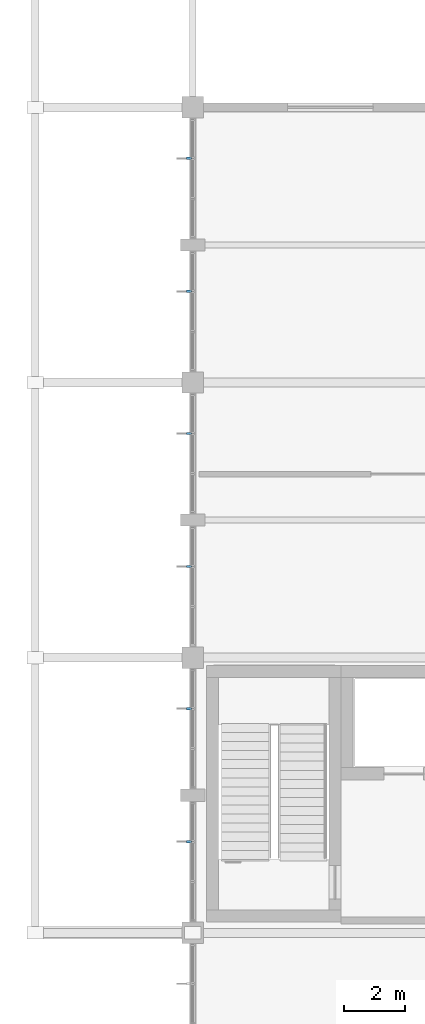
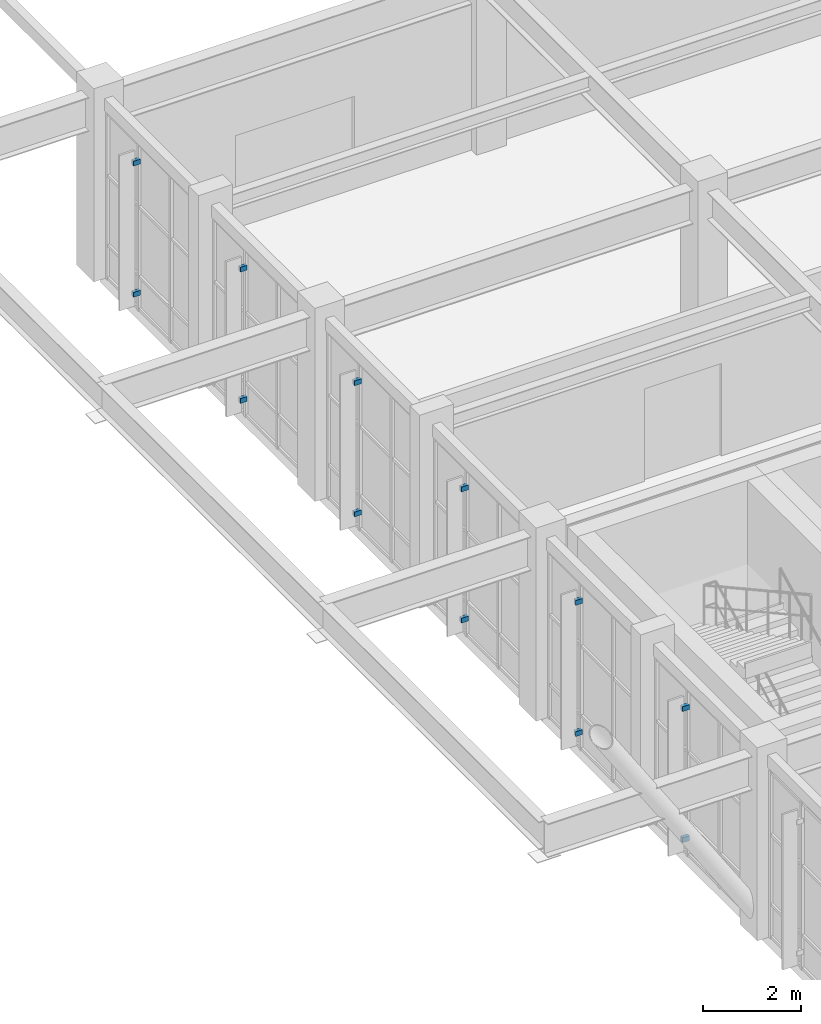
# One storey, part 89 of 99: 12 discrete accessories.
"""IFC4 building model written with IfcOpenShell, lengths in metres."""

from ifc_helpers import new_model, si_unit, direction, frame, origin, origin_2d, place, context, subcontext, project, spatial, rectangle, extrude, material, type_object, element, save


model = new_model("IFC4")

# Units and contexts
model_context = context("Model", 3, precision=1e-05, world=origin(), true_north=direction((0.0, 1.0)))
body_context = subcontext(model_context, "Body", "Model", "MODEL_VIEW")
ifc_project = project(units=[si_unit("LENGTHUNIT", "METRE"), si_unit("AREAUNIT", "SQUARE_METRE"), si_unit("VOLUMEUNIT", "CUBIC_METRE"), si_unit("PLANEANGLEUNIT", "RADIAN"), si_unit("MASSUNIT", "GRAM", prefix="KILO")], contexts=[model_context])

# Site, building, storey
site_placement = place(None, origin())
site = spatial("IfcSite", under=ifc_project, at=site_placement, CompositionType="ELEMENT")
building_placement = place(site_placement, origin())
building = spatial("IfcBuilding", under=site, at=building_placement, Name="Ventoquebrada Cableway Terminal", CompositionType="ELEMENT")
storey_placement = place(building_placement, frame((0.0, 0.0, 9.60009765625)))
storey = spatial("IfcBuildingStorey", under=building, at=storey_placement, Name="L02", CompositionType="ELEMENT", Elevation=9.60009765625)

# Discrete accessories
ifc_material = material(Name="Anodized thermally-broken aluminium", Category="aluminium")
discrete_accessory_type = type_object("IfcDiscreteAccessoryType", Name="BRK-01", PredefinedType="BRACKET", material=ifc_material)
for number, where, z_axis, x_axis, name in (
    (1, (8.080078125, 84.33203125, 0.389892578125), (0.0, 0.0, 1.0), (0.0, -1.0, 0.0), "Sunshade bracket FN-021"),
    (2, (8.080078125, 84.33203125, 3.64990234375), (0.0, 0.0, 1.0), (0.0, -1.0, 0.0), "Sunshade bracket FN-021"),
    (3, (8.080078125, 79.98193359375, 0.389892578125), (0.0, 0.0, 1.0), (0.0, -1.0, 0.0), "Sunshade bracket FN-022"),
    (4, (8.080078125, 79.98193359375, 3.64990234375), (0.0, 0.0, 1.0), (0.0, -1.0, 0.0), "Sunshade bracket FN-022"),
    (5, (8.080078125, 93.33203125, 0.389892578125), (0.0, 0.0, 1.0), (0.0, -1.0, 0.0), "Sunshade bracket FN-023"),
    (6, (8.080078125, 93.33203125, 3.64990234375), (0.0, 0.0, 1.0), (0.0, -1.0, 0.0), "Sunshade bracket FN-023"),
    (7, (8.080078125, 88.98193359375, 0.389892578125), (0.0, 0.0, 1.0), (0.0, -1.0, 0.0), "Sunshade bracket FN-024"),
    (8, (8.080078125, 88.98193359375, 3.64990234375), (0.0, 0.0, 1.0), (0.0, -1.0, 0.0), "Sunshade bracket FN-024"),
    (9, (8.080078125, 102.33203125, 0.389892578125), (0.0, 0.0, 1.0), (0.0, -1.0, 0.0), "Sunshade bracket FN-025"),
    (10, (8.080078125, 102.33203125, 3.64990234375), (0.0, 0.0, 1.0), (0.0, -1.0, 0.0), "Sunshade bracket FN-025"),
    (11, (8.080078125, 97.98193359375, 0.389892578125), (0.0, 0.0, 1.0), (0.0, -1.0, 0.0), "Sunshade bracket FN-026"),
    (12, (8.080078125, 97.98193359375, 3.64990234375), (0.0, 0.0, 1.0), (0.0, -1.0, 0.0), "Sunshade bracket FN-026"),
):
    element("IfcDiscreteAccessory", number, at=place(storey_placement, frame(where, z_axis=z_axis, x_axis=x_axis)), inside=storey, type_object=discrete_accessory_type, Name=name, PredefinedType="BRACKET", context=body_context, shape_type="SweptSolid", body=[
        extrude(rectangle(XDim=0.080078125, YDim=0.159912109375, at=origin_2d()), origin(), (0.0, 0.0, 1.0), 0.1201171875),
    ])

save(model, "model.ifc")
